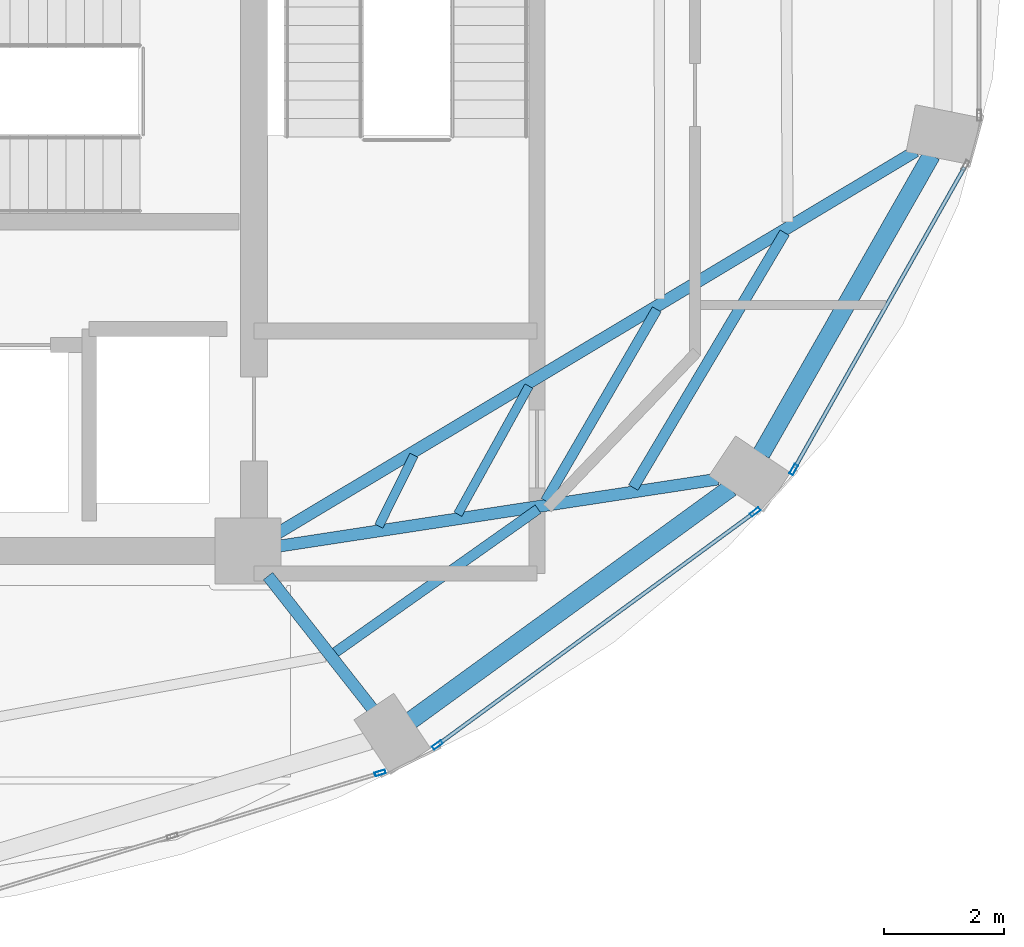
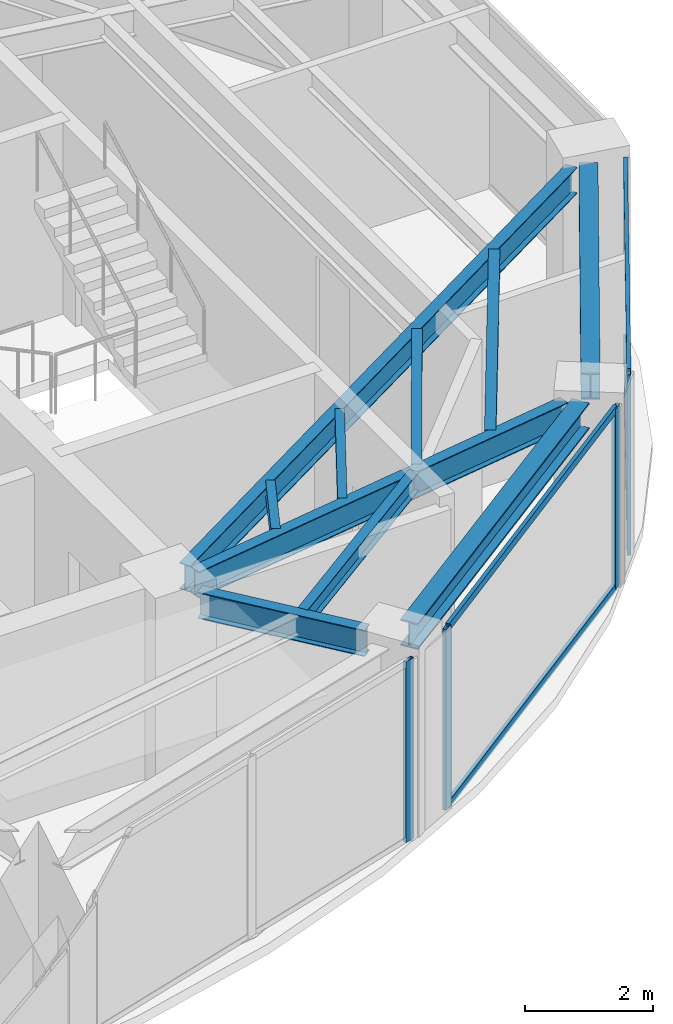
# One storey, part 13 of 23: 10 beams, 8 members, 3 elements without a shape of their own.
"""IFC4 building model written with IfcOpenShell, lengths in metres."""

from ifc_helpers import new_model, si_unit, direction, frame, origin, origin_2d, place, context, subcontext, project, spatial, hollow_rectangle, i_section, extrude, material, layer, layer_set, material_profile, profile_set, type_object, element, aggregate, save


model = new_model("IFC4")

# Units and contexts
model_context = context("Model", 3, precision=1e-05, world=origin(), true_north=direction((0.0, 1.0)))
body_context = subcontext(model_context, "Body", "Model", "MODEL_VIEW")
ifc_project = project(units=[si_unit("LENGTHUNIT", "METRE"), si_unit("AREAUNIT", "SQUARE_METRE"), si_unit("VOLUMEUNIT", "CUBIC_METRE"), si_unit("PLANEANGLEUNIT", "RADIAN"), si_unit("MASSUNIT", "GRAM", prefix="KILO")], contexts=[model_context])

# Site, building, storey
site_placement = place(None, origin())
site = spatial("IfcSite", under=ifc_project, at=site_placement, CompositionType="ELEMENT")
building_placement = place(site_placement, origin())
building = spatial("IfcBuilding", under=site, at=building_placement, Name="Lazwardi Medical Tower", CompositionType="ELEMENT")
storey_placement = place(building_placement, frame((0.0, 0.0, 231.31201171875)))
storey = spatial("IfcBuildingStorey", under=building, at=storey_placement, Name="L60", CompositionType="ELEMENT", Elevation=231.31201171875)

# Beams
ifc_material_1 = material(Name="Steel S355", Category="steel")
ifc_material_profile_1 = material_profile(ifc_material_1, i_section(OverallWidth=0.300048828125, OverallDepth=0.5, WebThickness=0.014404296875, FlangeThickness=0.028076171875, at=origin_2d()), Name="HEB 500")
ifc_profile_set_1 = profile_set([ifc_material_profile_1], Name="Steel S355")
beam_type_1 = type_object("IfcBeamType", Name="BM-RB-Z4", PredefinedType="BEAM", material=ifc_profile_set_1)
beam_1_placement = place(storey_placement, frame((48.31591796875, 17.5751953125, 3.197998046875), z_axis=(0.808889916254, 0.587960120571, 0.0), x_axis=(-0.587960120571, 0.808889916254, 0.0)))
element("IfcBeam", 1, at=beam_1_placement, inside=storey, type_object=beam_type_1, Name="Ring beam RB-05 B02 L60", PredefinedType="BEAM", context=body_context, shape_type="SweptSolid", body=[
    extrude(i_section(OverallWidth=0.300048828125, OverallDepth=0.5, WebThickness=0.014404296875, FlangeThickness=0.028076171875, at=origin_2d()), origin(), (0.0, 0.0, 1.0), 6.587158203125),
])
beam_2_placement = place(storey_placement, frame((54.15283203125, 22.016357421875, 3.197998046875), z_axis=(0.495125273299, 0.868821594886, 0.0), x_axis=(-0.868821594886, 0.495125273299, 0.0)))
element("IfcBeam", 2, at=beam_2_placement, inside=storey, type_object=beam_type_1, Name="Ring beam RB-05 B03 L60", PredefinedType="BEAM", context=body_context, shape_type="SweptSolid", body=[
    extrude(i_section(OverallWidth=0.300048828125, OverallDepth=0.5, WebThickness=0.014404296875, FlangeThickness=0.028076171875, at=origin_2d()), origin(), (0.0, 0.0, 1.0), 5.734130859375),
])
ifc_material_profile_2 = material_profile(ifc_material_1, i_section(OverallWidth=0.199951171875, OverallDepth=0.5, WebThickness=0.01025390625, FlangeThickness=0.01611328125, at=origin_2d()), Name="IPE 500")
ifc_profile_set_2 = profile_set([ifc_material_profile_2], Name="Steel S355")
beam_type_2 = type_object("IfcBeamType", Name="BM-RG-W3", PredefinedType="BEAM", material=ifc_profile_set_2)
beam_3_placement = place(storey_placement, frame((47.669677734375, 17.7666015625, 3.197998046875), z_axis=(-0.617890508382, 0.786264153864, 0.0), x_axis=(-0.786264153864, -0.617890508382, 0.0)))
element("IfcBeam", 3, at=beam_3_placement, inside=storey, type_object=beam_type_2, Name="Radial girder RG-04 R02 L60", PredefinedType="BEAM", context=body_context, shape_type="SweptSolid", body=[
    extrude(i_section(OverallWidth=0.199951171875, OverallDepth=0.5, WebThickness=0.01025390625, FlangeThickness=0.01611328125, at=origin_2d()), origin(), (0.0, 0.0, 1.0), 2.814453125),
])
beam_4_placement = place(storey_placement, frame((53.430908203125, 21.5966796875, 3.197998046875), z_axis=(-0.988522137285, -0.151076087115, 0.0), x_axis=(0.151076087115, -0.988522137285, 0.0)))
element("IfcBeam", 4, at=beam_4_placement, inside=storey, type_object=beam_type_2, Name="Radial girder RG-04 R03 L60", PredefinedType="BEAM", context=body_context, shape_type="SweptSolid", body=[
    extrude(i_section(OverallWidth=0.199951171875, OverallDepth=0.5, WebThickness=0.01025390625, FlangeThickness=0.01611328125, at=origin_2d()), origin(), (0.0, 0.0, 1.0), 7.38671875),
])
beam_5_placement = place(storey_placement, frame((56.72607421875, 27.062255859375, 3.197998046875), z_axis=(-0.857944804603, -0.513741873176, 0.0), x_axis=(0.513741873176, -0.857944804603, 0.0)))
element("IfcBeam", 5, at=beam_5_placement, inside=storey, type_object=beam_type_2, Name="Radial girder RG-04 R04 L60", PredefinedType="BEAM", context=body_context, shape_type="SweptSolid", body=[
    extrude(i_section(OverallWidth=0.199951171875, OverallDepth=0.5, WebThickness=0.01025390625, FlangeThickness=0.01611328125, at=origin_2d()), origin(), (0.0, 0.0, 1.0), 12.43310546875),
])
ifc_material_profile_3 = material_profile(ifc_material_1, i_section(OverallWidth=0.179931640625, OverallDepth=0.39990234375, WebThickness=0.008544921875, FlangeThickness=0.013427734375, at=origin_2d()), Name="IPE 400")
ifc_profile_set_3 = profile_set([ifc_material_profile_3], Name="Steel S355")
beam_type_3 = type_object("IfcBeamType", Name="BM-SJ-01", PredefinedType="JOIST", material=ifc_profile_set_3)
beam_6_placement = place(storey_placement, frame((52.01904296875, 21.455078125, 3.248046875), z_axis=(0.510967866251, 0.859599813668, 0.0), x_axis=(-0.859599813668, 0.510967866251, 0.0)))
element("IfcBeam", 6, at=beam_6_placement, inside=storey, type_object=beam_type_3, Name="Secondary joist SJ-01 R1 B03 L60", PredefinedType="JOIST", context=body_context, shape_type="SweptSolid", body=[
    extrude(i_section(OverallWidth=0.179931640625, OverallDepth=0.39990234375, WebThickness=0.008544921875, FlangeThickness=0.013427734375, at=origin_2d()), origin(), (0.0, 0.0, 1.0), 4.94189453125),
])
ifc_material_profile_4 = material_profile(ifc_material_1, i_section(OverallWidth=0.169921875, OverallDepth=0.360107421875, WebThickness=0.008056640625, FlangeThickness=0.0126953125, at=origin_2d()), Name="IPE 360")
ifc_profile_set_4 = profile_set([ifc_material_profile_4], Name="Steel S355")
beam_type_4 = type_object("IfcBeamType", Name="BM-SJ-02", PredefinedType="JOIST", material=ifc_profile_set_4)
beam_7_placement = place(storey_placement, frame((47.051513671875, 18.70654296875, 3.26806640625), z_axis=(0.816711190406, 0.577046645832, 0.0), x_axis=(-0.577046645832, 0.816711190406, 0.0)))
element("IfcBeam", 7, at=beam_7_placement, inside=storey, type_object=beam_type_4, Name="Secondary joist SJ-02 R2 B02 L60", PredefinedType="JOIST", context=body_context, shape_type="SweptSolid", body=[
    extrude(i_section(OverallWidth=0.169921875, OverallDepth=0.360107421875, WebThickness=0.008056640625, FlangeThickness=0.0126953125, at=origin_2d()), origin(), (0.0, 0.0, 1.0), 4.139892578125),
])
beam_8_placement = place(storey_placement, frame((50.5576171875, 21.232421875, 3.26806640625), z_axis=(0.50218018565, 0.864763008657, 0.0), x_axis=(-0.864763008657, 0.50218018565, 0.0)))
element("IfcBeam", 8, at=beam_8_placement, inside=storey, type_object=beam_type_4, Name="Secondary joist SJ-02 R2 B03 L60", PredefinedType="JOIST", context=body_context, shape_type="SweptSolid", body=[
    extrude(i_section(OverallWidth=0.169921875, OverallDepth=0.360107421875, WebThickness=0.008056640625, FlangeThickness=0.0126953125, at=origin_2d()), origin(), (0.0, 0.0, 1.0), 3.69189453125),
])
ifc_material_profile_5 = material_profile(ifc_material_1, i_section(OverallWidth=0.14990234375, OverallDepth=0.300048828125, WebThickness=0.007080078125, FlangeThickness=0.0107421875, at=origin_2d()), Name="IPE 300")
ifc_profile_set_5 = profile_set([ifc_material_profile_5], Name="Steel S355")
beam_type_5 = type_object("IfcBeamType", Name="BM-SJ-03", PredefinedType="JOIST", material=ifc_profile_set_5)
beam_9_placement = place(storey_placement, frame((49.095703125, 21.01025390625, 3.298095703125), z_axis=(0.484751625998, 0.874651851363, 0.0), x_axis=(-0.874651851363, 0.484751625998, 0.0)))
element("IfcBeam", 9, at=beam_9_placement, inside=storey, type_object=beam_type_5, Name="Secondary joist SJ-03 R3 B03 L60", PredefinedType="JOIST", context=body_context, shape_type="SweptSolid", body=[
    extrude(i_section(OverallWidth=0.14990234375, OverallDepth=0.300048828125, WebThickness=0.007080078125, FlangeThickness=0.0107421875, at=origin_2d()), origin(), (0.0, 0.0, 1.0), 2.442626953125),
])
beam_10_placement = place(storey_placement, frame((47.777587890625, 20.811279296875, 3.298095703125), z_axis=(0.443587297772, 0.89623116954, 0.0), x_axis=(-0.89623116954, 0.443587297772, 0.0)))
element("IfcBeam", 10, at=beam_10_placement, inside=storey, type_object=beam_type_5, Name="Secondary joist SJ-03 R4 B03 L60", PredefinedType="JOIST", context=body_context, shape_type="SweptSolid", body=[
    extrude(i_section(OverallWidth=0.14990234375, OverallDepth=0.300048828125, WebThickness=0.007080078125, FlangeThickness=0.0107421875, at=origin_2d()), origin(), (0.0, 0.0, 1.0), 1.32080078125),
])

# Curtain wall, member
ifc_material_2 = material(Name="Anodised bronze aluminium and solar control glazing", Category="aluminium")
ifc_layer = layer(ifc_material_2, 0.18994140625)
ifc_layer_set = layer_set([ifc_layer], Name="Anodised bronze aluminium and solar control glazing")
curtain_wall_type = type_object("IfcCurtainWallType", Name="CW-SYS-04", PredefinedType="NOTDEFINED", material=ifc_layer_set)
curtain_wall_1_placement = place(storey_placement, origin())
curtain_wall_1 = element("IfcCurtainWall", 11, at=curtain_wall_1_placement, inside=storey, type_object=curtain_wall_type, Name="L60 Unitised bronze curtain wall CW-04", PredefinedType="NOTDEFINED")
ifc_material_3 = material(Name="Anodised bronze aluminium", Category="aluminium")
ifc_material_profile_6 = material_profile(ifc_material_3, hollow_rectangle(XDim=0.06494140625, YDim=0.179931640625, WallThickness=0.00390625, at=origin_2d()), Name="ALU-MULLION 180x65x4")
ifc_profile_set_6 = profile_set([ifc_material_profile_6], Name="Anodised bronze aluminium")
member_type_1 = type_object("IfcMemberType", Name="CW-MUL-03", PredefinedType="MULLION", material=ifc_profile_set_6)
member_1_placement = place(storey_placement, frame((47.7998046875, 16.696533203125, 0.0), z_axis=(0.0, 0.0, 1.0), x_axis=(-0.290581889515, 0.956850126972, 0.0)))
member_1 = element("IfcMember", 12, at=member_1_placement, type_object=member_type_1, Name="CW-04 mullion 3", PredefinedType="MULLION", context=body_context, shape_type="SweptSolid", body=[
    extrude(hollow_rectangle(XDim=0.06494140625, YDim=0.179931640625, WallThickness=0.00390625, at=origin_2d()), origin(), (0.0, 0.0, 1.0), 3.447998046875),
])
aggregate(curtain_wall_1, [member_1])

# Curtain wall, members
curtain_wall_2_placement = place(storey_placement, origin())
curtain_wall_2 = element("IfcCurtainWall", 13, at=curtain_wall_2_placement, inside=storey, type_object=curtain_wall_type, Name="L60 Unitised bronze curtain wall CW-04", PredefinedType="NOTDEFINED")
member_2_placement = place(storey_placement, frame((48.75537109375, 17.1650390625, 0.0), z_axis=(0.0, 0.0, 1.0), x_axis=(-0.591268230971, 0.806474971121, 0.0)))
member_2 = element("IfcMember", 14, at=member_2_placement, type_object=member_type_1, Name="CW-04 mullion 1", PredefinedType="MULLION", context=body_context, shape_type="SweptSolid", body=[
    extrude(hollow_rectangle(XDim=0.06494140625, YDim=0.179931640625, WallThickness=0.00390625, at=origin_2d()), origin(), (0.0, 0.0, 1.0), 3.447998046875),
])
member_3_placement = place(storey_placement, frame((54.052001953125, 21.04833984375, 0.0), z_axis=(0.0, 0.0, 1.0), x_axis=(-0.591268230971, 0.806474971121, 0.0)))
member_3 = element("IfcMember", 15, at=member_3_placement, type_object=member_type_1, Name="CW-04 mullion 2", PredefinedType="MULLION", context=body_context, shape_type="SweptSolid", body=[
    extrude(hollow_rectangle(XDim=0.06494140625, YDim=0.179931640625, WallThickness=0.00390625, at=origin_2d()), origin(), (0.0, 0.0, 1.0), 3.447998046875),
])

# Curtain wall, member
curtain_wall_3_placement = place(storey_placement, origin())
curtain_wall_3 = element("IfcCurtainWall", 16, at=curtain_wall_3_placement, inside=storey, type_object=curtain_wall_type, Name="L60 Unitised bronze curtain wall CW-04", PredefinedType="NOTDEFINED")
member_4_placement = place(storey_placement, frame((54.6943359375, 21.75439453125, 0.0), z_axis=(0.0, 0.0, 1.0), x_axis=(-0.870651436011, 0.491900474661, 0.0)))
member_4 = element("IfcMember", 17, at=member_4_placement, type_object=member_type_1, Name="CW-04 mullion 1", PredefinedType="MULLION", context=body_context, shape_type="SweptSolid", body=[
    extrude(hollow_rectangle(XDim=0.06494140625, YDim=0.179931640625, WallThickness=0.00390625, at=origin_2d()), origin(), (0.0, 0.0, 1.0), 3.447998046875),
])

# Member
ifc_material_profile_7 = material_profile(ifc_material_3, hollow_rectangle(XDim=0.06494140625, YDim=0.139892578125, WallThickness=0.00341796875, at=origin_2d()), Name="ALU-TRANSOM 140x65x3.5")
ifc_profile_set_7 = profile_set([ifc_material_profile_7], Name="Anodised bronze aluminium")
member_type_2 = type_object("IfcMemberType", Name="CW-TRN-03", PredefinedType="USERDEFINED", material=ifc_profile_set_7)
member_5_placement = place(storey_placement, frame((48.781494140625, 17.184326171875, 0.032470703125), z_axis=(0.80648973359, 0.591248094808, 0.0), x_axis=(-0.591248094808, 0.80648973359, 0.0)))
member_5 = element("IfcMember", 18, at=member_5_placement, type_object=member_type_2, Name="CW-04 transom 1.1", ObjectType="TRANSOM", PredefinedType="USERDEFINED", context=body_context, shape_type="SweptSolid", body=[
    extrude(hollow_rectangle(XDim=0.06494140625, YDim=0.139892578125, WallThickness=0.00341796875, at=origin_2d()), origin(), (0.0, 0.0, 1.0), 6.502685546875),
])

member_6_placement = place(storey_placement, frame((48.781494140625, 17.184326171875, 3.41552734375), z_axis=(0.80648973359, 0.591248094808, 0.0), x_axis=(-0.591248094808, 0.80648973359, 0.0)))
member_6 = element("IfcMember", 19, at=member_6_placement, type_object=member_type_2, Name="CW-04 transom 1.2", ObjectType="TRANSOM", PredefinedType="USERDEFINED", context=body_context, shape_type="SweptSolid", body=[
    extrude(hollow_rectangle(XDim=0.06494140625, YDim=0.139892578125, WallThickness=0.00341796875, at=origin_2d()), origin(), (0.0, 0.0, 1.0), 6.502685546875),
])

aggregate(curtain_wall_2, [member_2, member_3, member_5, member_6])

member_7_placement = place(storey_placement, frame((54.71044921875, 21.78271484375, 0.032470703125), z_axis=(0.491879719484, 0.87066316194, 0.0), x_axis=(-0.87066316194, 0.491879719484, 0.0)))
member_7 = element("IfcMember", 20, at=member_7_placement, type_object=member_type_2, Name="CW-04 transom 1.1", ObjectType="TRANSOM", PredefinedType="USERDEFINED", context=body_context, shape_type="SweptSolid", body=[
    extrude(hollow_rectangle(XDim=0.06494140625, YDim=0.139892578125, WallThickness=0.00341796875, at=origin_2d()), origin(), (0.0, 0.0, 1.0), 5.755126953125),
])

member_8_placement = place(storey_placement, frame((54.71044921875, 21.78271484375, 3.41552734375), z_axis=(0.491879719484, 0.87066316194, 0.0), x_axis=(-0.87066316194, 0.491879719484, 0.0)))
member_8 = element("IfcMember", 21, at=member_8_placement, type_object=member_type_2, Name="CW-04 transom 1.2", ObjectType="TRANSOM", PredefinedType="USERDEFINED", context=body_context, shape_type="SweptSolid", body=[
    extrude(hollow_rectangle(XDim=0.06494140625, YDim=0.139892578125, WallThickness=0.00341796875, at=origin_2d()), origin(), (0.0, 0.0, 1.0), 5.755126953125),
])

aggregate(curtain_wall_3, [member_4, member_7, member_8])

save(model, "model.ifc")
